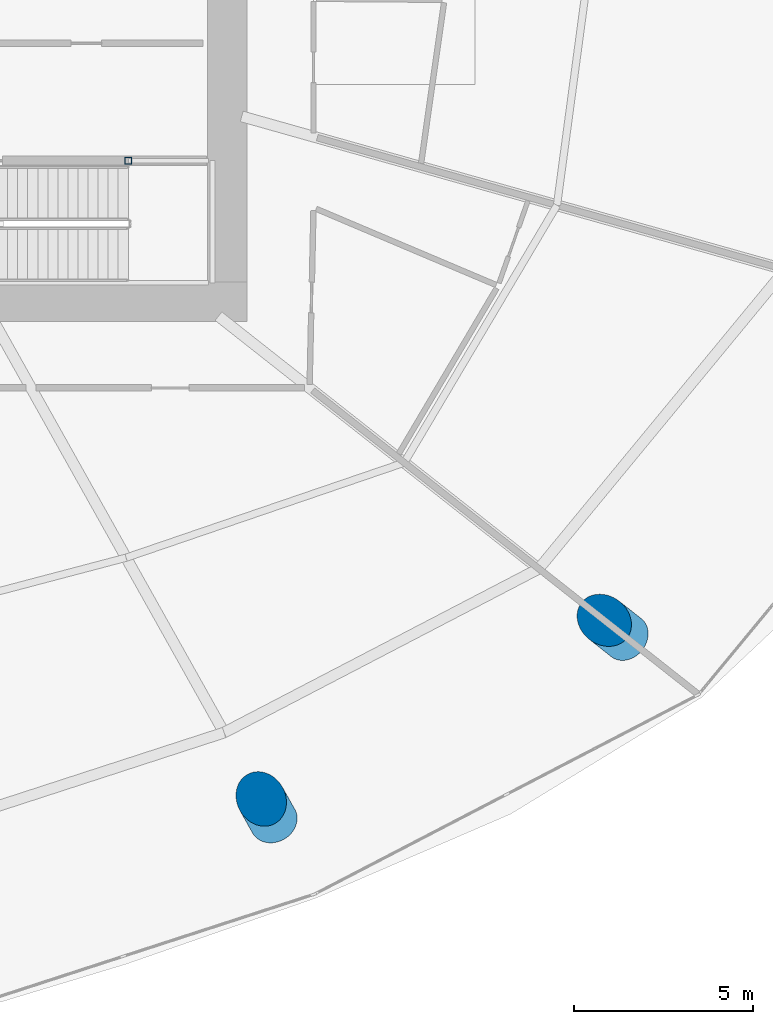
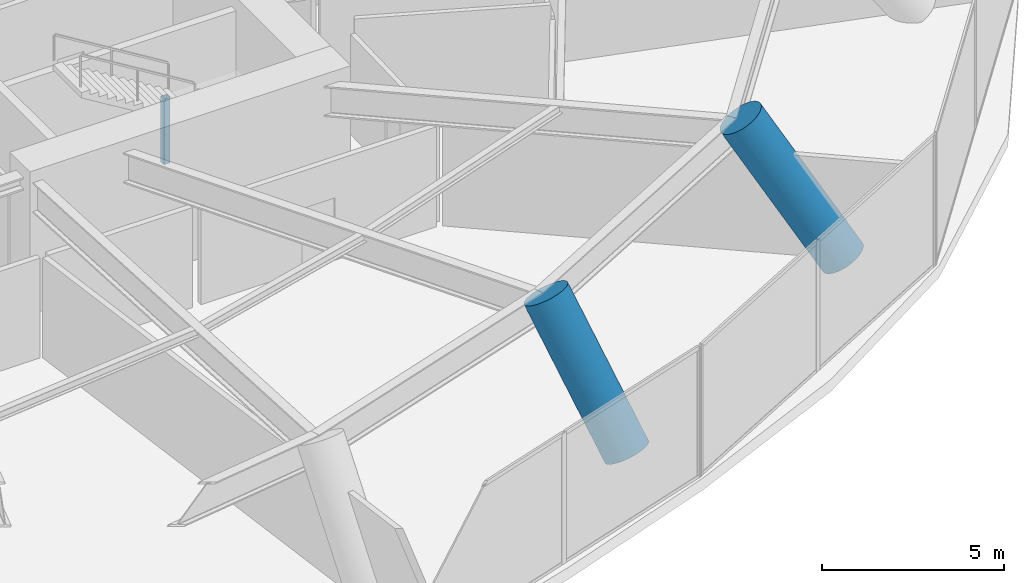
# One storey, part 3 of 21: 3 columns.
"""IFC4 building model written with IfcOpenShell, lengths in metres."""

from ifc_helpers import new_model, si_unit, direction, frame, origin, origin_2d, place, context, subcontext, project, spatial, hollow_rectangle, circle, extrude, material, material_profile, profile_set, type_object, element, save


model = new_model("IFC4")

# Units and contexts
model_context = context("Model", 3, precision=1e-05, world=origin(), true_north=direction((0.0, 1.0)))
body_context = subcontext(model_context, "Body", "Model", "MODEL_VIEW")
ifc_project = project(units=[si_unit("LENGTHUNIT", "METRE"), si_unit("AREAUNIT", "SQUARE_METRE"), si_unit("VOLUMEUNIT", "CUBIC_METRE"), si_unit("PLANEANGLEUNIT", "RADIAN"), si_unit("MASSUNIT", "GRAM", prefix="KILO")], contexts=[model_context])

# Site, building, storey
site_placement = place(None, origin())
site = spatial("IfcSite", under=ifc_project, at=site_placement, CompositionType="ELEMENT")
building_placement = place(site_placement, origin())
building = spatial("IfcBuilding", under=site, at=building_placement, Name="Kazma Halo Residences", CompositionType="ELEMENT")
storey_placement = place(building_placement, frame((0.0, 0.0, 21.60009765625)))
storey = spatial("IfcBuildingStorey", under=building, at=storey_placement, Name="L04", CompositionType="ELEMENT", Elevation=21.60009765625)

# Columns
ifc_material_1 = material(Name="Steel S355", Category="steel")
ifc_material_profile_1 = material_profile(ifc_material_1, hollow_rectangle(XDim=0.199951171875, YDim=0.199951171875, WallThickness=0.010009765625, InnerFilletRadius=0.010009765625, OuterFilletRadius=0.02001953125, at=origin_2d()), Name="SHS200x200x10")
ifc_profile_set_1 = profile_set([ifc_material_profile_1], Name="Steel S355")
column_type_1 = type_object("IfcColumnType", Name="COL-LP-SHS200", PredefinedType="COLUMN", material=ifc_profile_set_1)
column_1_placement = place(storey_placement, frame((56.840087890625, 37.3798828125, 0.0), z_axis=(0.0, 0.0, 1.0), x_axis=(1.0, 0.0, 0.0)))
element("IfcColumn", 1, at=column_1_placement, inside=storey, type_object=column_type_1, Name="L04 ST-03 landing pilaster 1", PredefinedType="COLUMN", context=body_context, shape_type="SweptSolid", body=[
    extrude(hollow_rectangle(XDim=0.199951171875, YDim=0.199951171875, WallThickness=0.010009765625, InnerFilletRadius=0.010009765625, OuterFilletRadius=0.02001953125, at=origin_2d()), origin(), (0.0, 0.0, 1.0), 2.19482421875),
])
ifc_material_2 = material(Name="Concrete C80/95", Category="concrete")
ifc_material_profile_2 = material_profile(ifc_material_2, circle(Radius=0.675048828125, at=origin_2d()), Name="CIRC1350")
ifc_profile_set_2 = profile_set([ifc_material_profile_2], Name="Concrete C80/95")
column_type_2 = type_object("IfcColumnType", Name="COL-PERIM-1350", PredefinedType="COLUMN", material=ifc_profile_set_2)
column_2_placement = place(storey_placement, frame((60.889404296875, 18.984375, 0.0), z_axis=(-0.247961982584, 0.442707288227, 0.861698968401), x_axis=(-0.872467449304, -0.488672231568, 0.0)))
element("IfcColumn", 2, at=column_2_placement, inside=storey, type_object=column_type_2, Name="L04 perimeter ring column P13", PredefinedType="COLUMN", context=body_context, shape_type="SweptSolid", body=[
    extrude(circle(Radius=0.675048828125, at=origin_2d()), origin(), (0.0, 0.0, 1.0), 5.10595703125),
])
column_3_placement = place(storey_placement, frame((70.708984375, 24.09765625, 0.0), z_axis=(-0.425909043598, 0.335748350699, 0.840163395766), x_axis=(-0.619081137709, -0.785327030563, 0.0)))
element("IfcColumn", 3, at=column_3_placement, inside=storey, type_object=column_type_2, Name="L04 perimeter ring column P14", PredefinedType="COLUMN", context=body_context, shape_type="SweptSolid", body=[
    extrude(circle(Radius=0.675048828125, at=origin_2d()), origin(), (0.0, 0.0, 1.0), 5.237060546875),
])

save(model, "model.ifc")
